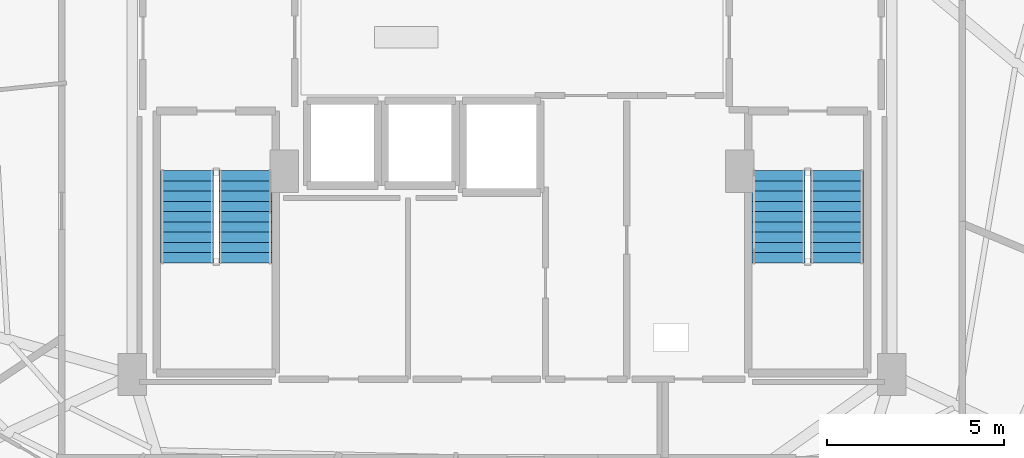
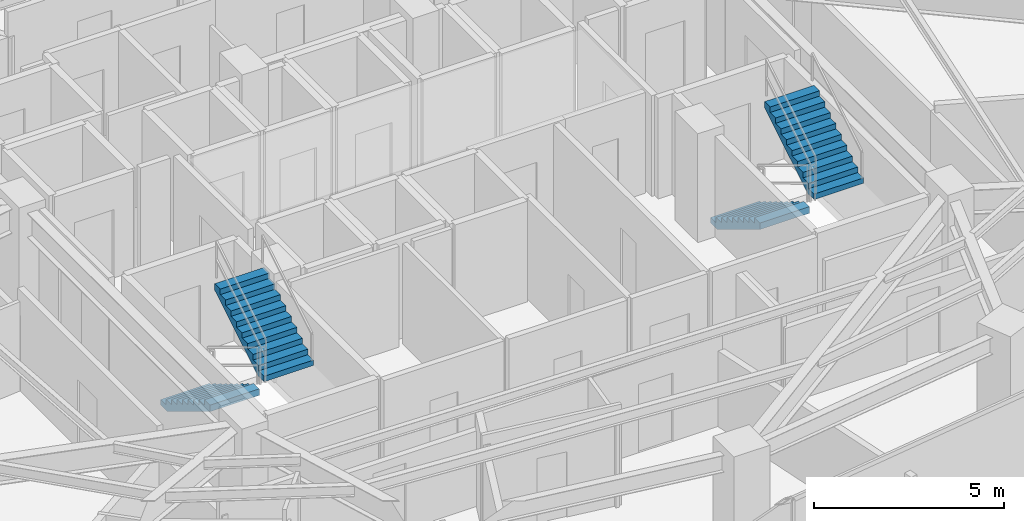
# One storey, part 26 of 29: 4 stair flights, 2 elements without a shape of their own.
"""IFC4 building model written with IfcOpenShell, lengths in metres."""

from ifc_helpers import new_model, si_unit, direction, frame, origin, place, context, subcontext, project, spatial, polyline, outline, extrude, material, type_object, element, aggregate, save


model = new_model("IFC4")

# Units and contexts
model_context = context("Model", 3, precision=1e-05, world=origin(), true_north=direction((0.0, 1.0)))
body_context = subcontext(model_context, "Body", "Model", "MODEL_VIEW")
ifc_project = project(units=[si_unit("LENGTHUNIT", "METRE"), si_unit("AREAUNIT", "SQUARE_METRE"), si_unit("VOLUMEUNIT", "CUBIC_METRE"), si_unit("PLANEANGLEUNIT", "RADIAN"), si_unit("MASSUNIT", "GRAM", prefix="KILO")], contexts=[model_context])

# Site, building, storey
site_placement = place(None, origin())
site = spatial("IfcSite", under=ifc_project, at=site_placement, CompositionType="ELEMENT")
building_placement = place(site_placement, origin())
building = spatial("IfcBuilding", under=site, at=building_placement, Name="Vorneva Point Tower", CompositionType="ELEMENT")
storey_placement = place(building_placement, frame((0.0, 0.0, 85.800048828125)))
storey = spatial("IfcBuildingStorey", under=building, at=storey_placement, Name="L22", CompositionType="ELEMENT", Elevation=85.800048828125)

# Stair, stair flights
ifc_material = material(Name="Concrete B50 (C40/50)", Category="concrete")
stair_type = type_object("IfcStairType", Name="ST-DOG-1500", PredefinedType="HALF_TURN_STAIR", material=ifc_material)
stair_1_placement = place(storey_placement, origin())
stair_1 = element("IfcStair", 1, at=stair_1_placement, inside=storey, type_object=stair_type, Name="L22 ST1", PredefinedType="HALF_TURN_STAIR")
stair_flight_type = type_object("IfcStairFlightType", Name="STF-1500", PredefinedType="STRAIGHT", material=ifc_material)
stair_flight_1_placement = place(storey_placement, frame((28.800048828125, 22.219970703125, 0.0), z_axis=(0.0, 0.0, 1.0), x_axis=(0.0, -1.0, 0.0)))
stair_flight_1 = element("IfcStairFlight", 2, at=stair_flight_1_placement, type_object=stair_flight_type, Name="ST1 flight 1", NumberOfRisers=10, NumberOfTreads=9, PredefinedType="STRAIGHT", RiserHeight=0.175, TreadLength=0.29, context=body_context, shape_type="SweptSolid", body=[
    extrude(outline(polyline([(0.0, 0.0), (0.0, 0.175048828125), (0.2900390625, 0.175048828125), (0.2900390625, 0.35009765625), (0.580078125, 0.35009765625), (0.580078125, 0.52490234375), (0.8701171875, 0.52490234375), (0.8701171875, 0.699951171875), (1.159912109375, 0.699951171875), (1.159912109375, 0.875), (1.449951171875, 0.875), (1.449951171875, 1.050048828125), (1.739990234375, 1.050048828125), (1.739990234375, 1.22509765625), (2.030029296875, 1.22509765625), (2.030029296875, 1.39990234375), (2.320068359375, 1.39990234375), (2.320068359375, 1.574951171875), (2.610107421875, 1.574951171875), (2.610107421875, 1.75), (2.610107421875, 1.36474609375), (0.34814453125, 0.0), (0.0, 0.0)])), frame((0.0, 0.75, 0.0), z_axis=(0.0, -1.0, 0.0), x_axis=(1.0, 0.0, 0.0)), (0.0, 0.0, 1.0), 1.5),
])
stair_flight_2_placement = place(storey_placement, frame((30.449951171875, 19.610107421875, 1.75), z_axis=(0.0, 0.0, 1.0), x_axis=(0.0, 1.0, 0.0)))
stair_flight_2 = element("IfcStairFlight", 3, at=stair_flight_2_placement, type_object=stair_flight_type, Name="ST1 flight 2", NumberOfRisers=10, NumberOfTreads=9, PredefinedType="STRAIGHT", RiserHeight=0.175, TreadLength=0.29, context=body_context, shape_type="SweptSolid", body=[
    extrude(outline(polyline([(0.0, 0.0), (0.0, 0.175048828125), (0.2900390625, 0.175048828125), (0.2900390625, 0.35009765625), (0.580078125, 0.35009765625), (0.580078125, 0.52490234375), (0.8701171875, 0.52490234375), (0.8701171875, 0.699951171875), (1.159912109375, 0.699951171875), (1.159912109375, 0.875), (1.449951171875, 0.875), (1.449951171875, 1.050048828125), (1.739990234375, 1.050048828125), (1.739990234375, 1.22509765625), (2.030029296875, 1.22509765625), (2.030029296875, 1.39990234375), (2.320068359375, 1.39990234375), (2.320068359375, 1.574951171875), (2.610107421875, 1.574951171875), (2.610107421875, 1.75), (2.610107421875, 1.36474609375), (0.34814453125, 0.0), (0.0, 0.0)])), frame((0.0, 0.75, 0.0), z_axis=(0.0, -1.0, 0.0), x_axis=(1.0, 0.0, 0.0)), (0.0, 0.0, 1.0), 1.5),
])
aggregate(stair_1, [stair_flight_1, stair_flight_2])

stair_2_placement = place(storey_placement, origin())
stair_2 = element("IfcStair", 4, at=stair_2_placement, inside=storey, type_object=stair_type, Name="L22 ST2", PredefinedType="HALF_TURN_STAIR")
stair_flight_3_placement = place(storey_placement, frame((45.550048828125, 22.219970703125, 0.0), z_axis=(0.0, 0.0, 1.0), x_axis=(0.0, -1.0, 0.0)))
stair_flight_3 = element("IfcStairFlight", 5, at=stair_flight_3_placement, type_object=stair_flight_type, Name="ST2 flight 1", NumberOfRisers=10, NumberOfTreads=9, PredefinedType="STRAIGHT", RiserHeight=0.175, TreadLength=0.29, context=body_context, shape_type="SweptSolid", body=[
    extrude(outline(polyline([(0.0, 0.0), (0.0, 0.175048828125), (0.2900390625, 0.175048828125), (0.2900390625, 0.35009765625), (0.580078125, 0.35009765625), (0.580078125, 0.52490234375), (0.8701171875, 0.52490234375), (0.8701171875, 0.699951171875), (1.159912109375, 0.699951171875), (1.159912109375, 0.875), (1.449951171875, 0.875), (1.449951171875, 1.050048828125), (1.739990234375, 1.050048828125), (1.739990234375, 1.22509765625), (2.030029296875, 1.22509765625), (2.030029296875, 1.39990234375), (2.320068359375, 1.39990234375), (2.320068359375, 1.574951171875), (2.610107421875, 1.574951171875), (2.610107421875, 1.75), (2.610107421875, 1.36474609375), (0.34814453125, 0.0), (0.0, 0.0)])), frame((0.0, 0.75, 0.0), z_axis=(0.0, -1.0, 0.0), x_axis=(1.0, 0.0, 0.0)), (0.0, 0.0, 1.0), 1.5),
])
stair_flight_4_placement = place(storey_placement, frame((47.199951171875, 19.610107421875, 1.75), z_axis=(0.0, 0.0, 1.0), x_axis=(0.0, 1.0, 0.0)))
stair_flight_4 = element("IfcStairFlight", 6, at=stair_flight_4_placement, type_object=stair_flight_type, Name="ST2 flight 2", NumberOfRisers=10, NumberOfTreads=9, PredefinedType="STRAIGHT", RiserHeight=0.175, TreadLength=0.29, context=body_context, shape_type="SweptSolid", body=[
    extrude(outline(polyline([(0.0, 0.0), (0.0, 0.175048828125), (0.2900390625, 0.175048828125), (0.2900390625, 0.35009765625), (0.580078125, 0.35009765625), (0.580078125, 0.52490234375), (0.8701171875, 0.52490234375), (0.8701171875, 0.699951171875), (1.159912109375, 0.699951171875), (1.159912109375, 0.875), (1.449951171875, 0.875), (1.449951171875, 1.050048828125), (1.739990234375, 1.050048828125), (1.739990234375, 1.22509765625), (2.030029296875, 1.22509765625), (2.030029296875, 1.39990234375), (2.320068359375, 1.39990234375), (2.320068359375, 1.574951171875), (2.610107421875, 1.574951171875), (2.610107421875, 1.75), (2.610107421875, 1.36474609375), (0.34814453125, 0.0), (0.0, 0.0)])), frame((0.0, 0.75, 0.0), z_axis=(0.0, -1.0, 0.0), x_axis=(1.0, 0.0, 0.0)), (0.0, 0.0, 1.0), 1.5),
])
aggregate(stair_2, [stair_flight_3, stair_flight_4])

save(model, "model.ifc")
